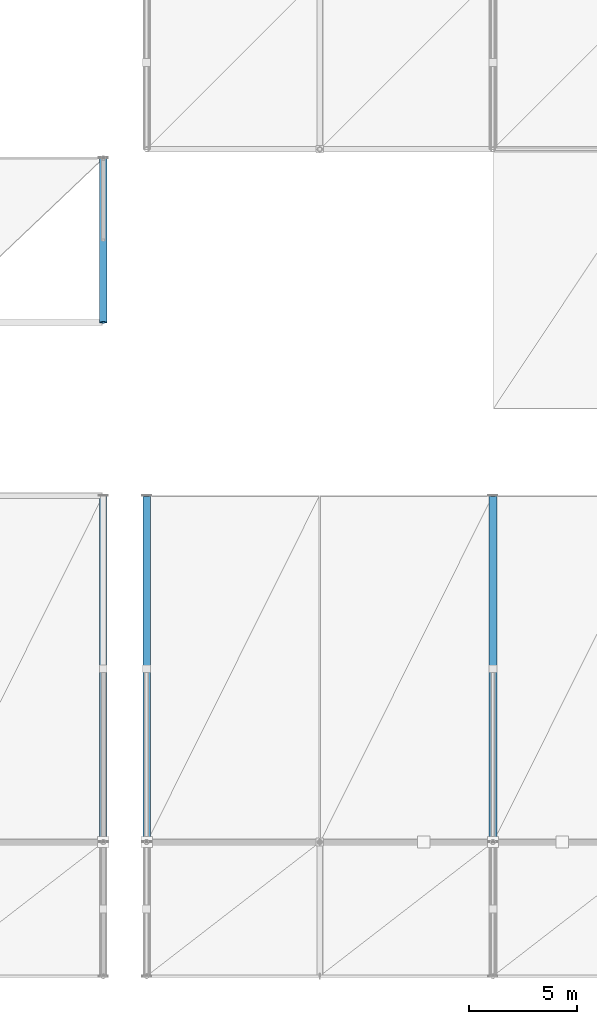
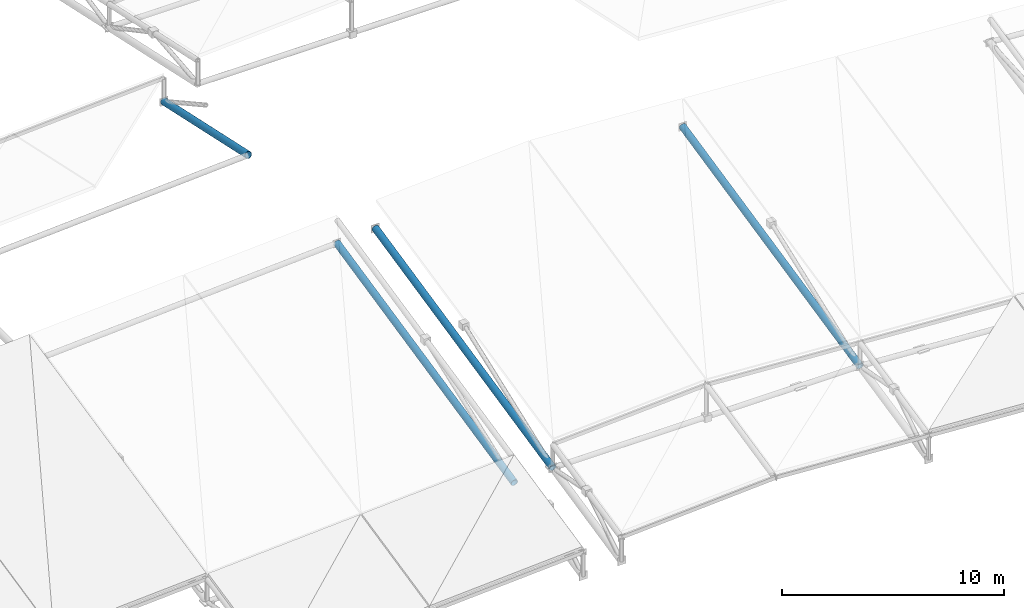
# One storey, part 21 of 67: 4 beams.
"""IFC4 building model written with IfcOpenShell, lengths in metres."""

from ifc_helpers import new_model, si_unit, direction, frame, origin, origin_2d, place, context, subcontext, project, spatial, hollow_circle, extrude, material, material_profile, profile_set, type_object, element, save


model = new_model("IFC4")

# Units and contexts
model_context = context("Model", 3, precision=1e-05, world=origin(), true_north=direction((0.0, 1.0)))
body_context = subcontext(model_context, "Body", "Model", "MODEL_VIEW")
ifc_project = project(units=[si_unit("LENGTHUNIT", "METRE"), si_unit("AREAUNIT", "SQUARE_METRE"), si_unit("VOLUMEUNIT", "CUBIC_METRE"), si_unit("PLANEANGLEUNIT", "RADIAN"), si_unit("MASSUNIT", "GRAM", prefix="KILO")], contexts=[model_context])

# Site, building, storey
site_placement = place(None, origin())
site = spatial("IfcSite", under=ifc_project, at=site_placement, CompositionType="ELEMENT")
building_placement = place(site_placement, origin())
building = spatial("IfcBuilding", under=site, at=building_placement, Name="Drelvath Fold Interchange", CompositionType="ELEMENT")
storey_placement = place(building_placement, frame((0.0, 0.0, 15.60009765625)))
storey = spatial("IfcBuildingStorey", under=building, at=storey_placement, Name="L03", CompositionType="ELEMENT", Elevation=15.60009765625)

# Beams
ifc_material = material(Name="Steel ASTM A500 Grade C", Category="steel")
ifc_material_profile = material_profile(ifc_material, hollow_circle(Radius=0.177978515625, WallThickness=0.01171875, at=origin_2d()), Name="HSS14.000X0.500")
ifc_profile_set = profile_set([ifc_material_profile], Name="Steel ASTM A500 Grade C")
beam_type = type_object("IfcBeamType", Name="SF-RIB356", PredefinedType="BEAM", material=ifc_profile_set)
beam_1_placement = place(storey_placement, frame((100.0, 27.0, 1.016845703125), z_axis=(0.0, 0.977052272987, 0.212999661624), x_axis=(-1.0, 0.0, 0.0)))
element("IfcBeam", 1, at=beam_1_placement, inside=storey, type_object=beam_type, Name="Space frame roof truss main rib chord WEST", PredefinedType="BEAM", context=body_context, shape_type="SweptSolid", body=[
    extrude(hollow_circle(Radius=0.177978515625, WallThickness=0.01171875, at=origin_2d()), origin(), (0.0, 0.0, 1.0), 16.375732421875),
])
beam_2_placement = place(storey_placement, frame((100.0, 51.0, 4.5048828125), z_axis=(0.0, 0.977048433435, -0.213017273297), x_axis=(-1.0, 0.0, 0.0)))
element("IfcBeam", 2, at=beam_2_placement, inside=storey, type_object=beam_type, Name="Space frame roof truss main rib chord WEST", PredefinedType="BEAM", context=body_context, shape_type="SweptSolid", body=[
    extrude(hollow_circle(Radius=0.177978515625, WallThickness=0.01171875, at=origin_2d()), origin(), (0.0, 0.0, 1.0), 7.778564453125),
])
for number, where, z_axis, x_axis, name in (
    (3, (102.0, 27.0, 1.136962890625), (0.0, 0.977052272987, 0.212999661624), (-1.0, 0.0, 0.0), "Space frame roof truss main rib chord EAST"),
    (4, (118.0, 27.0, 1.136962890625), (0.0, 0.977052272987, 0.212999661624), (-1.0, 0.0, 0.0), "Space frame roof truss main rib chord EAST"),
):
    element("IfcBeam", number, at=place(storey_placement, frame(where, z_axis=z_axis, x_axis=x_axis)), inside=storey, type_object=beam_type, Name=name, PredefinedType="BEAM", context=body_context, shape_type="SweptSolid", body=[
        extrude(hollow_circle(Radius=0.177978515625, WallThickness=0.01171875, at=origin_2d()), origin(), (0.0, 0.0, 1.0), 16.375732421875),
    ])

save(model, "model.ifc")
